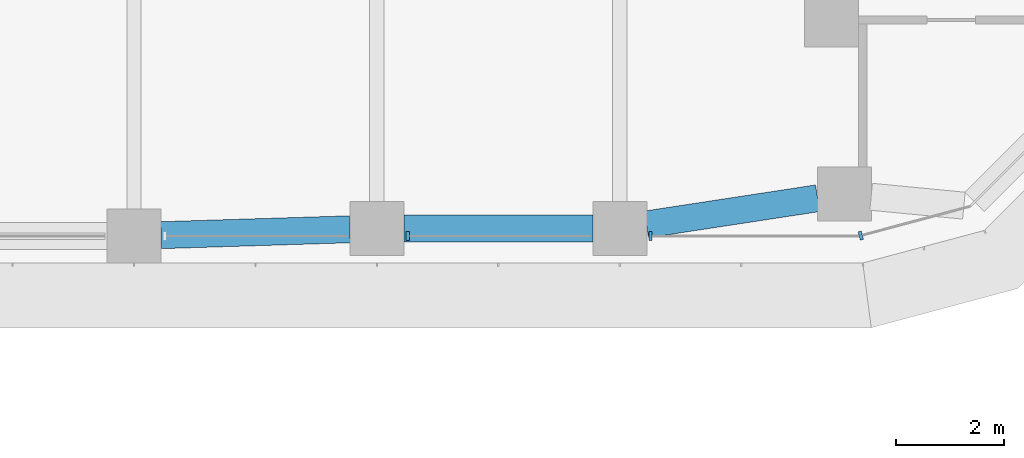
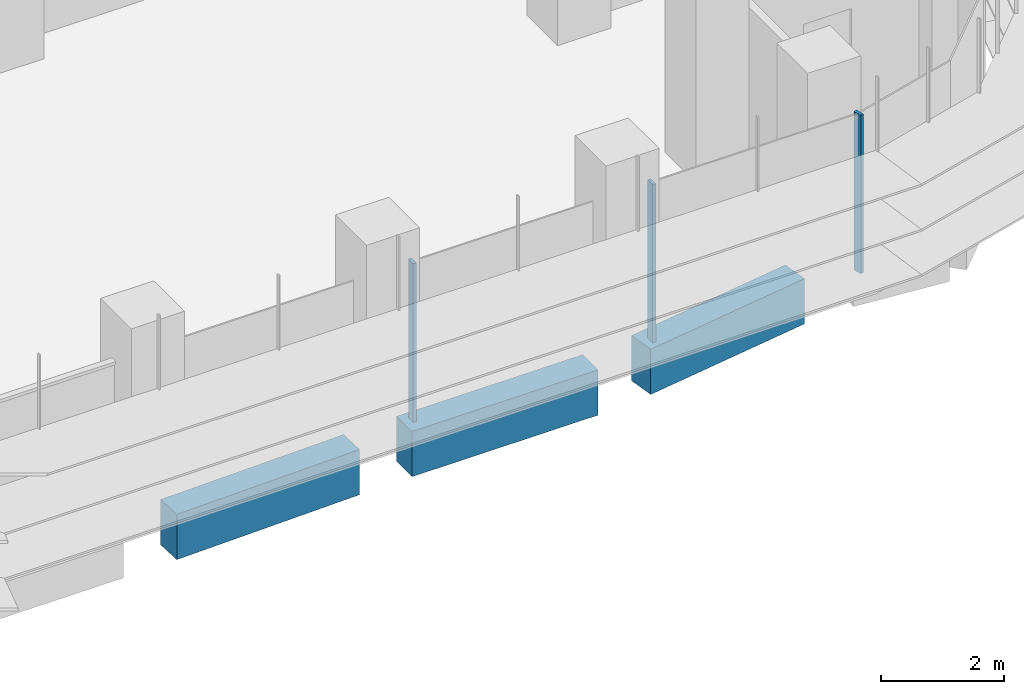
# One storey, part 5 of 23: 3 beams, 3 members, 2 elements without a shape of their own.
"""IFC4 building model written with IfcOpenShell, lengths in metres."""

from ifc_helpers import new_model, si_unit, direction, frame, origin, origin_2d, place, context, subcontext, project, spatial, polyline, rectangle, outline, extrude, source, transform, mapped, material, material_profile, profile_set, type_object, element, aggregate, save


model = new_model("IFC4")

# Units and contexts
model_context = context("Model", 3, precision=1e-05, world=origin(), true_north=direction((0.0, 1.0)))
body_context = subcontext(model_context, "Body", "Model", "MODEL_VIEW")
ifc_project = project(units=[si_unit("LENGTHUNIT", "METRE"), si_unit("AREAUNIT", "SQUARE_METRE"), si_unit("VOLUMEUNIT", "CUBIC_METRE"), si_unit("PLANEANGLEUNIT", "RADIAN"), si_unit("MASSUNIT", "GRAM", prefix="KILO")], contexts=[model_context])

# Site, building, storey
site_placement = place(None, origin())
site = spatial("IfcSite", under=ifc_project, at=site_placement, CompositionType="ELEMENT")
building_placement = place(site_placement, origin())
building = spatial("IfcBuilding", under=site, at=building_placement, Name="Zarbagh Exchange Tower", CompositionType="ELEMENT")
storey_placement = place(building_placement, frame((0.0, 0.0, 60.60009765625)))
storey = spatial("IfcBuildingStorey", under=building, at=storey_placement, Name="L13", CompositionType="ELEMENT", Elevation=60.60009765625)

# Beams
ifc_material_1 = material(Name="Concrete C60/75", Category="concrete")
ifc_material_profile = material_profile(ifc_material_1, rectangle(XDim=0.5, YDim=0.89990234375, at=origin_2d()), Name="RC spandrel beam 500 x 900 C60/75")
ifc_profile_set = profile_set([ifc_material_profile], Name="Concrete C60/75")
beam_type = type_object("IfcBeamType", Name="RC spandrel beam 500 x 900 C60/75", PredefinedType="SPANDREL", material=ifc_profile_set)
beam_1_placement = place(storey_placement, frame((28.413818359375, -5.550537109375, -0.60009765625), z_axis=(-0.988545350976, -0.150924116903, 0.0), x_axis=(0.150924116903, -0.988545350976, 0.0)))
element("IfcBeam", 1, at=beam_1_placement, inside=storey, type_object=beam_type, Name="RC spandrel beam", PredefinedType="SPANDREL", context=body_context, shape_type="SweptSolid", body=[
    extrude(rectangle(XDim=0.5, YDim=0.89990234375, at=origin_2d()), origin(), (0.0, 0.0, 1.0), 3.2060546875),
])
beam_2_placement = place(storey_placement, frame((24.25, -6.110107421875, -0.60009765625), z_axis=(-1.0, 0.0, 0.0), x_axis=(0.0, -1.0, 0.0)))
element("IfcBeam", 2, at=beam_2_placement, inside=storey, type_object=beam_type, Name="RC spandrel beam", PredefinedType="SPANDREL", context=body_context, shape_type="SweptSolid", body=[
    extrude(rectangle(XDim=0.5, YDim=0.89990234375, at=origin_2d()), origin(), (0.0, 0.0, 1.0), 3.5),
])
beam_3_placement = place(storey_placement, frame((19.750244140625, -6.12548828125, -0.60009765625), z_axis=(-0.999514385708, -0.031160756759, 0.0), x_axis=(0.031160756759, -0.999514385708, 0.0)))
element("IfcBeam", 3, at=beam_3_placement, inside=storey, type_object=beam_type, Name="RC spandrel beam", PredefinedType="SPANDREL", context=body_context, shape_type="SweptSolid", body=[
    extrude(rectangle(XDim=0.5, YDim=0.89990234375, at=origin_2d()), origin(), (0.0, 0.0, 1.0), 3.502197265625),
])

# Curtain wall, members
ifc_material_2 = material(Name="Anodised aluminium frame and glazing", Category="aluminium")
curtain_wall_type = type_object("IfcCurtainWallType", Name="CWA Ribbon glazing, lower zones", PredefinedType="NOTDEFINED", material=ifc_material_2)
curtain_wall_1_placement = place(storey_placement, origin())
curtain_wall_1 = element("IfcCurtainWall", 4, at=curtain_wall_1_placement, inside=storey, type_object=curtain_wall_type, Name="CWA08 curtain wall", PredefinedType="NOTDEFINED")
ifc_material_3 = material(Name="Anodised aluminium frame", Category="aluminium")
member_type = type_object("IfcMemberType", Name="MUA Mullion, anodised aluminium frame", PredefinedType="MULLION", material=ifc_material_3)
shared_shape = source(origin(), body_context, "Body", "SweptSolid", [
    extrude(outline(polyline([(0.0, -0.080078125), (0.06005859375, -0.080078125), (0.06005859375, 0.080078125), (0.0, 0.080078125), (0.0, -0.080078125)])), origin(), (0.0, 0.0, 1.0), 3.14990234375),
])
placement = place(storey_placement, origin())
member_1 = element("IfcMember", 5, at=placement, type_object=member_type, Name="CWA08 mullion 3.1", PredefinedType="MULLION", context=body_context, shape_type="MappedRepresentation", body=[
    mapped(shared_shape, transform((20.7900390625, -6.25, 0.0), x_axis=(1.0, 0.0, 0.0), y_axis=(0.0, 1.0, 0.0), z_axis=(0.0, 0.0, 1.0))),
])
member_2 = element("IfcMember", 6, at=placement, type_object=member_type, Name="CWA08 mullion 4.1", PredefinedType="MULLION", context=body_context, shape_type="MappedRepresentation", body=[
    mapped(shared_shape, transform((25.2900390625, -6.25, 0.0), x_axis=(1.0, 0.0, 0.0), y_axis=(0.0, 1.0, 0.0), z_axis=(0.0, 0.0, 1.0))),
])
aggregate(curtain_wall_1, [member_1, member_2])

# Curtain wall, member
curtain_wall_2_placement = place(storey_placement, origin())
curtain_wall_2 = element("IfcCurtainWall", 7, at=curtain_wall_2_placement, inside=storey, type_object=curtain_wall_type, Name="CWA09 curtain wall", PredefinedType="NOTDEFINED")
member_3 = element("IfcMember", 8, at=placement, type_object=member_type, Name="CWA09 mullion 1.1", PredefinedType="MULLION", context=body_context, shape_type="MappedRepresentation", body=[
    mapped(shared_shape, transform((29.18408203125, -6.25, 0.0), x_axis=(0.965924289636, 0.258824779902, 0.0), y_axis=(-0.258824779902, 0.965924289636, 0.0), z_axis=(0.0, 0.0, 1.0))),
])
aggregate(curtain_wall_2, [member_3])

save(model, "model.ifc")
